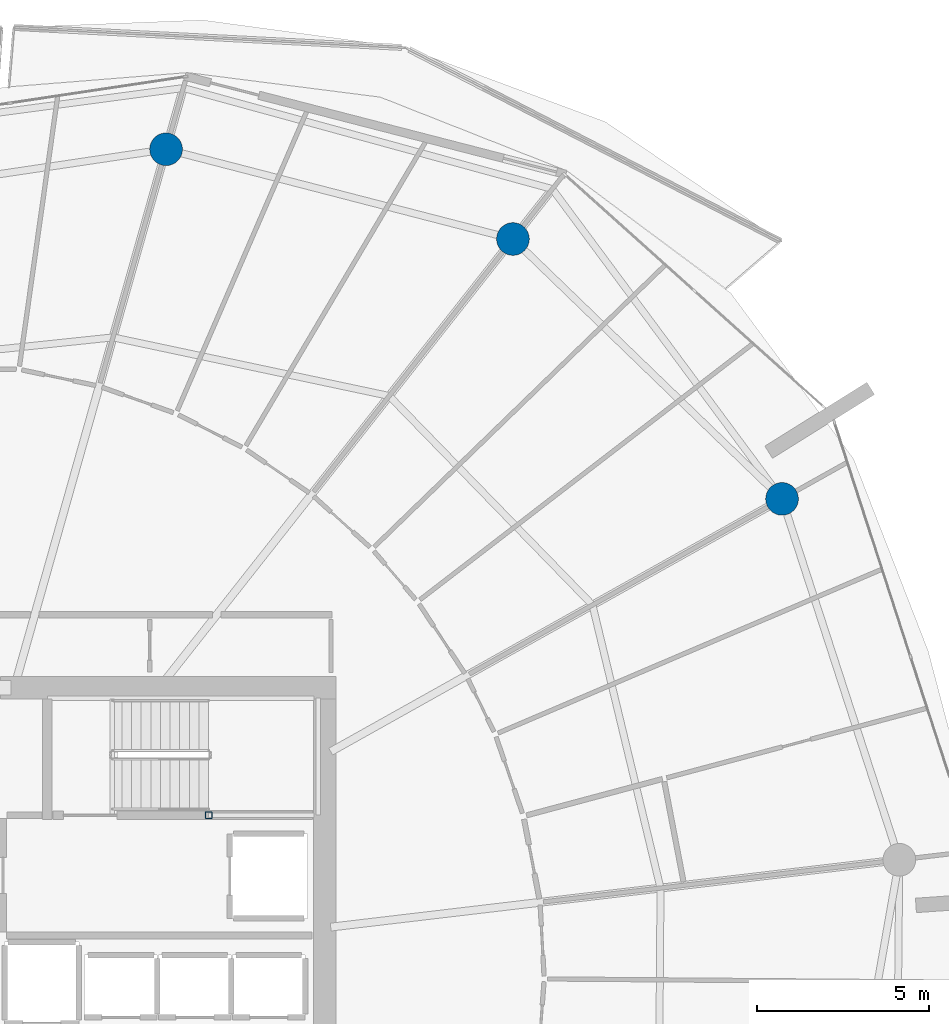
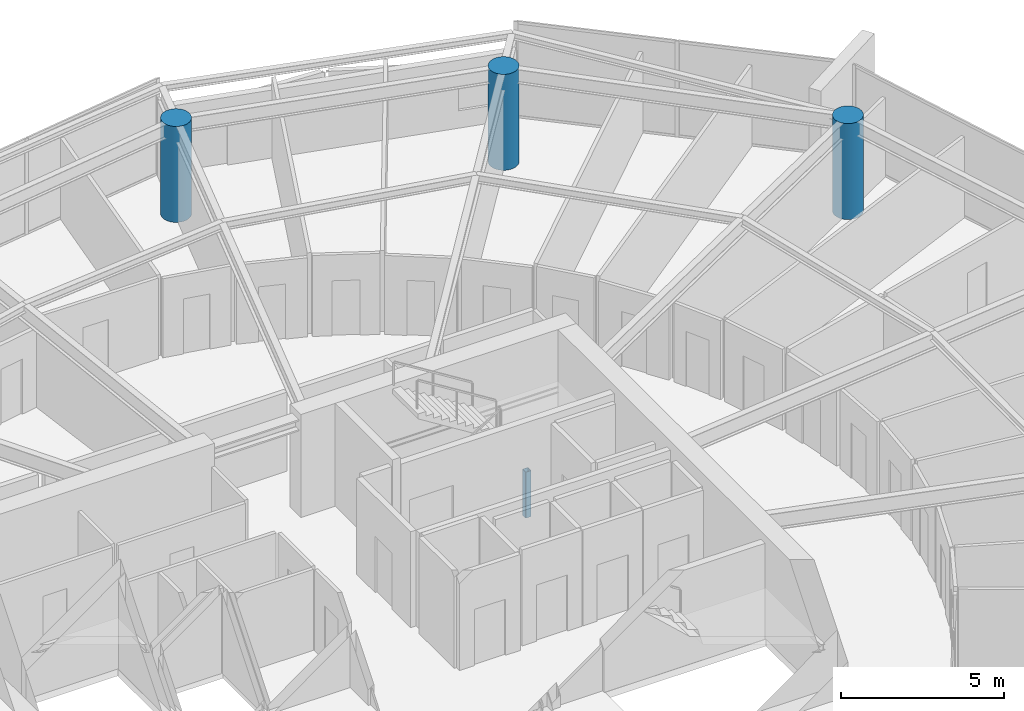
# One storey, part 5 of 31: 4 columns.
"""IFC4 building model written with IfcOpenShell, lengths in metres."""

from ifc_helpers import new_model, si_unit, direction, frame, origin, origin_2d, place, context, subcontext, project, spatial, hollow_rectangle, circle, extrude, material, material_profile, profile_set, type_object, element, save


model = new_model("IFC4")

# Units and contexts
model_context = context("Model", 3, precision=1e-05, world=origin(), true_north=direction((0.0, 1.0)))
body_context = subcontext(model_context, "Body", "Model", "MODEL_VIEW")
ifc_project = project(units=[si_unit("LENGTHUNIT", "METRE"), si_unit("AREAUNIT", "SQUARE_METRE"), si_unit("VOLUMEUNIT", "CUBIC_METRE"), si_unit("PLANEANGLEUNIT", "RADIAN"), si_unit("MASSUNIT", "GRAM", prefix="KILO")], contexts=[model_context])

# Site, building, storey
site_placement = place(None, origin())
site = spatial("IfcSite", under=ifc_project, at=site_placement, CompositionType="ELEMENT")
building_placement = place(site_placement, origin())
building = spatial("IfcBuilding", under=site, at=building_placement, Name="Kazma Halo Residences", CompositionType="ELEMENT")
storey_placement = place(building_placement, frame((0.0, 0.0, 271.35009765625)))
storey = spatial("IfcBuildingStorey", under=building, at=storey_placement, Name="L68", CompositionType="ELEMENT", Elevation=271.35009765625)

# Columns
ifc_material_1 = material(Name="Steel S355", Category="steel")
ifc_material_profile_1 = material_profile(ifc_material_1, hollow_rectangle(XDim=0.199951171875, YDim=0.199951171875, WallThickness=0.010009765625, InnerFilletRadius=0.010009765625, OuterFilletRadius=0.02001953125, at=origin_2d()), Name="SHS200x200x10")
ifc_profile_set_1 = profile_set([ifc_material_profile_1], Name="Steel S355")
column_type_1 = type_object("IfcColumnType", Name="COL-LP-SHS200", PredefinedType="COLUMN", material=ifc_profile_set_1)
column_placement = place(storey_placement, frame((56.0, 46.6201171875, 0.0), z_axis=(0.0, 0.0, 1.0), x_axis=(1.0, 0.0, 0.0)))
element("IfcColumn", 1, at=column_placement, inside=storey, type_object=column_type_1, Name="L68 ST-02 landing pilaster 1", PredefinedType="COLUMN", context=body_context, shape_type="SweptSolid", body=[
    extrude(hollow_rectangle(XDim=0.199951171875, YDim=0.199951171875, WallThickness=0.010009765625, InnerFilletRadius=0.010009765625, OuterFilletRadius=0.02001953125, at=origin_2d()), origin(), (0.0, 0.0, 1.0), 1.719970703125),
])
ifc_material_2 = material(Name="Concrete C60/75", Category="concrete")
ifc_material_profile_2 = material_profile(ifc_material_2, circle(Radius=0.47509765625, at=origin_2d()), Name="CIRC950")
ifc_profile_set_2 = profile_set([ifc_material_profile_2], Name="Concrete C60/75")
column_type_2 = type_object("IfcColumnType", Name="COL-PERIM-950", PredefinedType="COLUMN", material=ifc_profile_set_2)
for number, where, z_axis, x_axis, name in (
    (2, (72.67041015625, 55.81591796875, 0.0), (0.0, 0.0, 1.0), (1.0, 0.0, 0.0), "L68 perimeter ring column P01"),
    (3, (64.84716796875, 63.37060546875, 0.0), (0.0, 0.0, 1.0), (1.0, 0.0, 0.0), "L68 perimeter ring column P02"),
    (4, (54.762939453125, 65.9794921875, 0.0), (0.0, 0.0, 1.0), (1.0, 0.0, 0.0), "L68 perimeter ring column P03"),
):
    element("IfcColumn", number, at=place(storey_placement, frame(where, z_axis=z_axis, x_axis=x_axis)), inside=storey, type_object=column_type_2, Name=name, PredefinedType="COLUMN", context=body_context, shape_type="SweptSolid", body=[
        extrude(circle(Radius=0.47509765625, at=origin_2d()), origin(), (0.0, 0.0, 1.0), 3.58984375),
    ])

save(model, "model.ifc")
